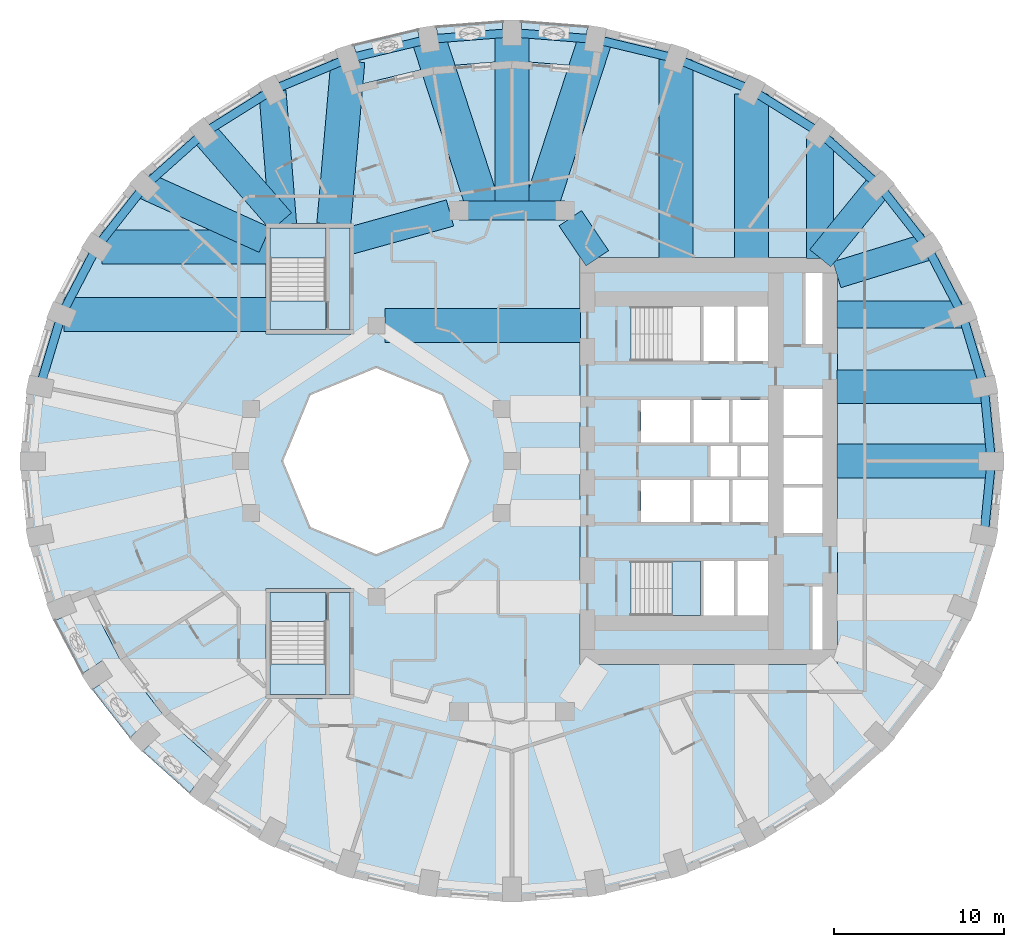
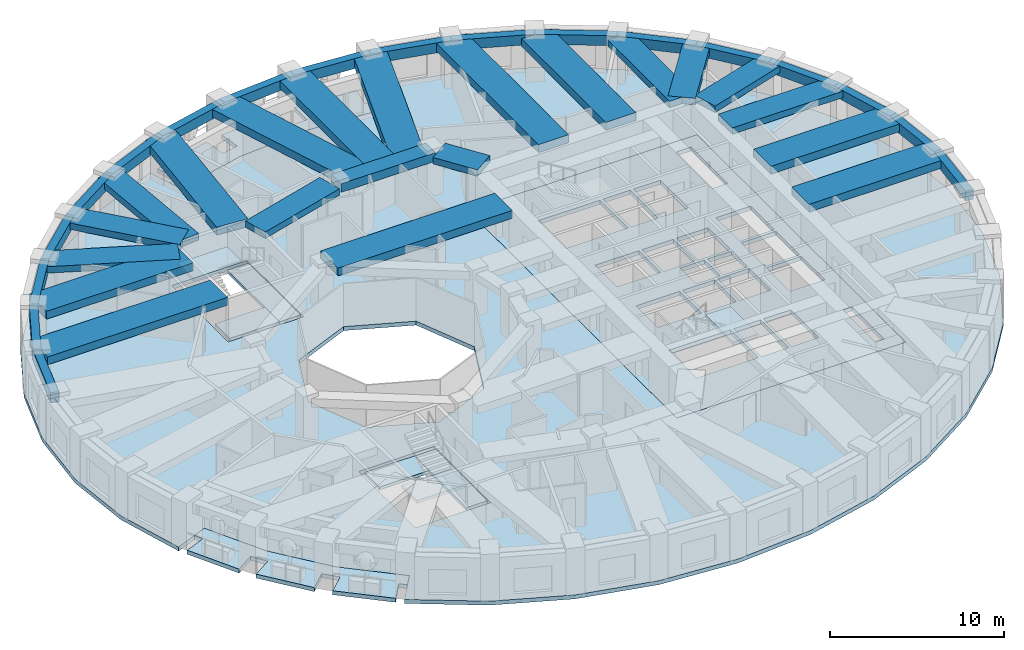
# One storey, part 2 of 13: 39 beams, 11 slabs, 3 elements without a shape of their own.
"""IFC4 building model written with IfcOpenShell, lengths in metres."""

from ifc_helpers import new_model, si_unit, direction, frame, origin, origin_2d, place, context, subcontext, project, spatial, polyline, rectangle, outline, extrude, material, layer, layer_set, material_profile, profile_set, type_object, element, aggregate, save


model = new_model("IFC4")

# Units and contexts
model_context = context("Model", 3, precision=1e-05, world=origin(), true_north=direction((0.0, 1.0)))
body_context = subcontext(model_context, "Body", "Model", "MODEL_VIEW")
ifc_project = project(units=[si_unit("LENGTHUNIT", "METRE"), si_unit("AREAUNIT", "SQUARE_METRE"), si_unit("VOLUMEUNIT", "CUBIC_METRE"), si_unit("PLANEANGLEUNIT", "RADIAN"), si_unit("MASSUNIT", "GRAM", prefix="KILO")], contexts=[model_context])

# Site, building, storey
site_placement = place(None, origin())
site = spatial("IfcSite", under=ifc_project, at=site_placement, CompositionType="ELEMENT")
building_placement = place(site_placement, origin())
building = spatial("IfcBuilding", under=site, at=building_placement, Name="Taillehof Tower", CompositionType="ELEMENT")
storey_placement = place(building_placement, frame((0.0, 0.0, 51.39990234375)))
storey = spatial("IfcBuildingStorey", under=building, at=storey_placement, Name="L13", CompositionType="ELEMENT", Elevation=51.39990234375)

# Beams
ifc_material_1 = material(Name="Concrete C50/60", Category="concrete")
ifc_material_profile_1 = material_profile(ifc_material_1, rectangle(XDim=1.10009765625, YDim=0.60009765625, at=origin_2d()), Name="RC 1100x600")
ifc_profile_set_1 = profile_set([ifc_material_profile_1], Name="Concrete C50/60")
beam_type_1 = type_object("IfcBeamType", Name="Mid-ring beam C50/60 1100x600", PredefinedType="BEAM", material=ifc_profile_set_1)
beam_1_placement = place(storey_placement, frame((3.125732421875, 14.772216796875, 2.72021484375), z_axis=(-1.0, 0.0, 0.0), x_axis=(0.0, -1.0, 0.0)))
element("IfcBeam", 1, at=beam_1_placement, inside=storey, type_object=beam_type_1, Name="Mid-ring beam MB01", PredefinedType="BEAM", context=body_context, shape_type="SweptSolid", body=[
    extrude(rectangle(XDim=1.10009765625, YDim=0.60009765625, at=origin_2d()), origin(), (0.0, 0.0, 1.0), 6.25146484375),
])
ifc_material_2 = material(Name="Concrete C50/60", Category="concrete")
ifc_material_profile_2 = material_profile(ifc_material_2, rectangle(XDim=1.60009765625, YDim=0.449951171875, at=origin_2d()), Name="RC 1600x450")
ifc_profile_set_2 = profile_set([ifc_material_profile_2], Name="Concrete C50/60")
beam_type_2 = type_object("IfcBeamType", Name="Radial band beam C50/60 1600x450", PredefinedType="BEAM", material=ifc_profile_set_2)
beam_2_placement = place(storey_placement, frame((26.490478515625, 8.635986328125, 2.795166015625), z_axis=(-1.0, 0.0, 0.0), x_axis=(0.0, -1.0, 0.0)))
element("IfcBeam", 2, at=beam_2_placement, inside=storey, type_object=beam_type_2, Name="Radial band beam RB03", PredefinedType="BEAM", context=body_context, shape_type="SweptSolid", body=[
    extrude(rectangle(XDim=1.60009765625, YDim=0.449951171875, at=origin_2d()), origin(), (0.0, 0.0, 1.0), 7.340576171875),
])
beam_3_placement = place(storey_placement, frame((24.46533203125, 12.625, 2.795166015625), z_axis=(-0.955535654338, -0.294875589511, 0.0), x_axis=(0.294875589511, -0.955535654338, 0.0)))
element("IfcBeam", 3, at=beam_3_placement, inside=storey, type_object=beam_type_2, Name="Radial band beam RB04", PredefinedType="BEAM", context=body_context, shape_type="SweptSolid", body=[
    extrude(rectangle(XDim=1.60009765625, YDim=0.449951171875, at=origin_2d()), origin(), (0.0, 0.0, 1.0), 5.560546875),
])
beam_4_placement = place(storey_placement, frame((21.640869140625, 16.23046875, 2.795166015625), z_axis=(-0.630988373846, -0.775792286679, 0.0), x_axis=(0.775792286679, -0.630988373846, 0.0)))
element("IfcBeam", 4, at=beam_4_placement, inside=storey, type_object=beam_type_2, Name="Radial band beam RB05", PredefinedType="BEAM", context=body_context, shape_type="SweptSolid", body=[
    extrude(rectangle(XDim=1.60009765625, YDim=0.449951171875, at=origin_2d()), origin(), (0.0, 0.0, 1.0), 5.503173828125),
])
beam_5_placement = place(storey_placement, frame((18.15869140625, 19.05517578125, 2.795166015625), z_axis=(0.0, -1.0, 0.0), x_axis=(1.0, 0.0, 0.0)))
element("IfcBeam", 5, at=beam_5_placement, inside=storey, type_object=beam_type_2, Name="Radial band beam RB06", PredefinedType="BEAM", context=body_context, shape_type="SweptSolid", body=[
    extrude(rectangle(XDim=1.60009765625, YDim=0.449951171875, at=origin_2d()), origin(), (0.0, 0.0, 1.0), 7.105224609375),
])
beam_6_placement = place(storey_placement, frame((-14.119873046875, 21.802978515625, 2.795166015625), z_axis=(0.079184740988, -0.996859958467, 0.0), x_axis=(0.996859958467, 0.079184740988, 0.0)))
element("IfcBeam", 6, at=beam_6_placement, inside=storey, type_object=beam_type_2, Name="Radial band beam RB13", PredefinedType="BEAM", context=body_context, shape_type="SweptSolid", body=[
    extrude(rectangle(XDim=1.60009765625, YDim=0.449951171875, at=origin_2d()), origin(), (0.0, 0.0, 1.0), 7.87744140625),
])
beam_7_placement = place(storey_placement, frame((-18.15869140625, 19.342529296875, 2.795166015625), z_axis=(0.65721824087, -0.753700327628, 0.0), x_axis=(0.753700327628, 0.65721824087, 0.0)))
element("IfcBeam", 7, at=beam_7_placement, inside=storey, type_object=beam_type_2, Name="Radial band beam RB14", PredefinedType="BEAM", context=body_context, shape_type="SweptSolid", body=[
    extrude(rectangle(XDim=1.60009765625, YDim=0.449951171875, at=origin_2d()), origin(), (0.0, 0.0, 1.0), 6.9384765625),
])
beam_8_placement = place(storey_placement, frame((-21.632568359375, 16.226806640625, 2.795166015625), z_axis=(0.911100590789, -0.412184077161, 0.0), x_axis=(0.412184077161, 0.911100590789, 0.0)))
element("IfcBeam", 8, at=beam_8_placement, inside=storey, type_object=beam_type_2, Name="Radial band beam RB15", PredefinedType="BEAM", context=body_context, shape_type="SweptSolid", body=[
    extrude(rectangle(XDim=1.60009765625, YDim=0.449951171875, at=origin_2d()), origin(), (0.0, 0.0, 1.0), 7.740966796875),
])
beam_9_placement = place(storey_placement, frame((3.433837890625, 14.31640625, 2.795166015625), z_axis=(0.560112043398, -0.828416862962, 0.0), x_axis=(0.828416862962, 0.560112043398, 0.0)))
element("IfcBeam", 9, at=beam_9_placement, inside=storey, type_object=beam_type_2, Name="Inner band beam IB205", PredefinedType="BEAM", context=body_context, shape_type="SweptSolid", body=[
    extrude(rectangle(XDim=1.60009765625, YDim=0.449951171875, at=origin_2d()), origin(), (0.0, 0.0, 1.0), 2.84619140625),
])
beam_10_placement = place(storey_placement, frame((-3.655517578125, 14.624755859375, 2.795166015625), z_axis=(-0.963459369536, -0.267854518821, 0.0), x_axis=(0.267854518821, -0.963459369536, 0.0)))
element("IfcBeam", 10, at=beam_10_placement, inside=storey, type_object=beam_type_2, Name="Inner band beam IB206", PredefinedType="BEAM", context=body_context, shape_type="SweptSolid", body=[
    extrude(rectangle(XDim=1.60009765625, YDim=0.449951171875, at=origin_2d()), origin(), (0.0, 0.0, 1.0), 6.096923828125),
])
ifc_material_3 = material(Name="Concrete C50/60", Category="concrete")
ifc_material_profile_3 = material_profile(ifc_material_3, rectangle(XDim=2.0, YDim=0.550048828125, at=origin_2d()), Name="RC 2000x550")
ifc_profile_set_3 = profile_set([ifc_material_profile_3], Name="Concrete C50/60")
beam_type_3 = type_object("IfcBeamType", Name="Radial band beam C50/60 2000x550", PredefinedType="BEAM", material=ifc_profile_set_3)
beam_11_placement = place(storey_placement, frame((28.25, 0.0, 2.7451171875), z_axis=(-1.0, 0.0, 0.0), x_axis=(0.0, -1.0, 0.0)))
element("IfcBeam", 11, at=beam_11_placement, inside=storey, type_object=beam_type_3, Name="Radial band beam RB01", PredefinedType="BEAM", context=body_context, shape_type="SweptSolid", body=[
    extrude(rectangle(XDim=2.0, YDim=0.550048828125, at=origin_2d()), origin(), (0.0, 0.0, 1.0), 9.10009765625),
])
beam_12_placement = place(storey_placement, frame((27.82080078125, 4.384521484375, 2.7451171875), z_axis=(-1.0, 0.0, 0.0), x_axis=(0.0, -1.0, 0.0)))
element("IfcBeam", 12, at=beam_12_placement, inside=storey, type_object=beam_type_3, Name="Radial band beam RB02", PredefinedType="BEAM", context=body_context, shape_type="SweptSolid", body=[
    extrude(rectangle(XDim=2.0, YDim=0.550048828125, at=origin_2d()), origin(), (0.0, 0.0, 1.0), 8.6708984375),
])
beam_13_placement = place(storey_placement, frame((14.125, 21.63232421875, 2.7451171875), z_axis=(0.0, -1.0, 0.0), x_axis=(1.0, 0.0, 0.0)))
element("IfcBeam", 13, at=beam_13_placement, inside=storey, type_object=beam_type_3, Name="Radial band beam RB07", PredefinedType="BEAM", context=body_context, shape_type="SweptSolid", body=[
    extrude(rectangle(XDim=2.0, YDim=0.550048828125, at=origin_2d()), origin(), (0.0, 0.0, 1.0), 9.682373046875),
])
beam_14_placement = place(storey_placement, frame((9.662109375, 23.664794921875, 2.7451171875), z_axis=(0.0, -1.0, 0.0), x_axis=(1.0, 0.0, 0.0)))
element("IfcBeam", 14, at=beam_14_placement, inside=storey, type_object=beam_type_3, Name="Radial band beam RB08", PredefinedType="BEAM", context=body_context, shape_type="SweptSolid", body=[
    extrude(rectangle(XDim=2.0, YDim=0.550048828125, at=origin_2d()), origin(), (0.0, 0.0, 1.0), 11.71484375),
])
beam_15_placement = place(storey_placement, frame((4.905517578125, 24.866455078125, 2.7451171875), z_axis=(-0.309014294595, -0.951057393503, 0.0), x_axis=(0.951057393503, -0.309014294595, 0.0)))
element("IfcBeam", 15, at=beam_15_placement, inside=storey, type_object=beam_type_3, Name="Radial band beam RB09", PredefinedType="BEAM", context=body_context, shape_type="SweptSolid", body=[
    extrude(rectangle(XDim=2.0, YDim=0.550048828125, at=origin_2d()), origin(), (0.0, 0.0, 1.0), 10.61376953125),
])
beam_16_placement = place(storey_placement, frame((0.0, 25.25, 2.7451171875), z_axis=(0.0, -1.0, 0.0), x_axis=(1.0, 0.0, 0.0)))
element("IfcBeam", 16, at=beam_16_placement, inside=storey, type_object=beam_type_3, Name="Radial band beam RB10", PredefinedType="BEAM", context=body_context, shape_type="SweptSolid", body=[
    extrude(rectangle(XDim=2.0, YDim=0.550048828125, at=origin_2d()), origin(), (0.0, 0.0, 1.0), 10.477783203125),
])
beam_17_placement = place(storey_placement, frame((-4.905517578125, 24.866455078125, 2.7451171875), z_axis=(0.309014294595, -0.951057393503, 0.0), x_axis=(0.951057393503, 0.309014294595, 0.0)))
element("IfcBeam", 17, at=beam_17_placement, inside=storey, type_object=beam_type_3, Name="Radial band beam RB11", PredefinedType="BEAM", context=body_context, shape_type="SweptSolid", body=[
    extrude(rectangle(XDim=2.0, YDim=0.550048828125, at=origin_2d()), origin(), (0.0, 0.0, 1.0), 10.61376953125),
])
beam_18_placement = place(storey_placement, frame((-9.675048828125, 23.575927734375, 2.7451171875), z_axis=(-0.085841202752, -0.996308831593, 0.0), x_axis=(0.996308831593, -0.085841202752, 0.0)))
element("IfcBeam", 18, at=beam_18_placement, inside=storey, type_object=beam_type_3, Name="Radial band beam RB12", PredefinedType="BEAM", context=body_context, shape_type="SweptSolid", body=[
    extrude(rectangle(XDim=2.0, YDim=0.550048828125, at=origin_2d()), origin(), (0.0, 0.0, 1.0), 9.661376953125),
])
beam_19_placement = place(storey_placement, frame((-24.172607421875, 12.625, 2.7451171875), z_axis=(1.0, 0.0, 0.0), x_axis=(0.0, 1.0, 0.0)))
element("IfcBeam", 19, at=beam_19_placement, inside=storey, type_object=beam_type_3, Name="Radial band beam RB16", PredefinedType="BEAM", context=body_context, shape_type="SweptSolid", body=[
    extrude(rectangle(XDim=2.0, YDim=0.550048828125, at=origin_2d()), origin(), (0.0, 0.0, 1.0), 9.72265625),
])
beam_20_placement = place(storey_placement, frame((-26.408935546875, 8.635986328125, 2.7451171875), z_axis=(1.0, 0.0, 0.0), x_axis=(0.0, 1.0, 0.0)))
element("IfcBeam", 20, at=beam_20_placement, inside=storey, type_object=beam_type_3, Name="Radial band beam RB17", PredefinedType="BEAM", context=body_context, shape_type="SweptSolid", body=[
    extrude(rectangle(XDim=2.0, YDim=0.550048828125, at=origin_2d()), origin(), (0.0, 0.0, 1.0), 11.958984375),
])
beam_21_placement = place(storey_placement, frame((-7.5, 8.0, 2.7451171875), z_axis=(1.0, 0.0, 0.0), x_axis=(0.0, 1.0, 0.0)))
element("IfcBeam", 21, at=beam_21_placement, inside=storey, type_object=beam_type_3, Name="Inner band beam IB105", PredefinedType="BEAM", context=body_context, shape_type="SweptSolid", body=[
    extrude(rectangle(XDim=2.0, YDim=0.550048828125, at=origin_2d()), origin(), (0.0, 0.0, 1.0), 11.550048828125),
])
ifc_material_4 = material(Name="Concrete C50/60", Category="concrete")
ifc_material_profile_4 = material_profile(ifc_material_4, rectangle(XDim=0.5, YDim=0.699951171875, at=origin_2d()), Name="RC 500x700")
ifc_profile_set_4 = profile_set([ifc_material_profile_4], Name="Concrete C50/60")
beam_type_4 = type_object("IfcBeamType", Name="Spandrel beam C50/60 500x700", PredefinedType="SPANDREL", material=ifc_profile_set_4)
beam_22_placement = place(storey_placement, frame((28.25, 0.0, 2.670166015625), z_axis=(-0.097423973567, 0.99524297002, 0.0), x_axis=(-0.99524297002, -0.097423973567, 0.0)))
element("IfcBeam", 22, at=beam_22_placement, inside=storey, type_object=beam_type_4, Name="Spandrel beam SB01", PredefinedType="SPANDREL", context=body_context, shape_type="SweptSolid", body=[
    extrude(rectangle(XDim=0.5, YDim=0.699951171875, at=origin_2d()), origin(), (0.0, 0.0, 1.0), 4.405517578125),
])
beam_23_placement = place(storey_placement, frame((27.82080078125, 4.384521484375, 2.670166015625), z_axis=(-0.287135925407, 0.957889847707, 0.0), x_axis=(-0.957889847707, -0.287135925407, 0.0)))
element("IfcBeam", 23, at=beam_23_placement, inside=storey, type_object=beam_type_4, Name="Spandrel beam SB02", PredefinedType="SPANDREL", context=body_context, shape_type="SweptSolid", body=[
    extrude(rectangle(XDim=0.5, YDim=0.699951171875, at=origin_2d()), origin(), (0.0, 0.0, 1.0), 4.4384765625),
])
beam_24_placement = place(storey_placement, frame((26.54638671875, 8.635986328125, 2.670166015625), z_axis=(-0.462536335232, 0.886600326297, 0.0), x_axis=(-0.886600326297, -0.462536335232, 0.0)))
element("IfcBeam", 24, at=beam_24_placement, inside=storey, type_object=beam_type_4, Name="Spandrel beam SB03", PredefinedType="SPANDREL", context=body_context, shape_type="SweptSolid", body=[
    extrude(rectangle(XDim=0.5, YDim=0.699951171875, at=origin_2d()), origin(), (0.0, 0.0, 1.0), 4.499267578125),
])
beam_25_placement = place(storey_placement, frame((24.46533203125, 12.625, 2.670166015625), z_axis=(-0.616686200373, 0.787209076593, 0.0), x_axis=(-0.787209076593, -0.616686200373, 0.0)))
element("IfcBeam", 25, at=beam_25_placement, inside=storey, type_object=beam_type_4, Name="Spandrel beam SB04", PredefinedType="SPANDREL", context=body_context, shape_type="SweptSolid", body=[
    extrude(rectangle(XDim=0.5, YDim=0.699951171875, at=origin_2d()), origin(), (0.0, 0.0, 1.0), 4.580078125),
])
beam_26_placement = place(storey_placement, frame((21.640869140625, 16.23046875, 2.670166015625), z_axis=(-0.745621283614, 0.666369943366, 0.0), x_axis=(-0.666369943366, -0.745621283614, 0.0)))
element("IfcBeam", 26, at=beam_26_placement, inside=storey, type_object=beam_type_4, Name="Spandrel beam SB05", PredefinedType="SPANDREL", context=body_context, shape_type="SweptSolid", body=[
    extrude(rectangle(XDim=0.5, YDim=0.699951171875, at=origin_2d()), origin(), (0.0, 0.0, 1.0), 4.670166015625),
])
beam_27_placement = place(storey_placement, frame((18.15869140625, 19.342529296875, 2.670166015625), z_axis=(-0.847658018883, 0.530543007703, 0.0), x_axis=(-0.530543007703, -0.847658018883, 0.0)))
element("IfcBeam", 27, at=beam_27_placement, inside=storey, type_object=beam_type_4, Name="Spandrel beam SB06", PredefinedType="SPANDREL", context=body_context, shape_type="SweptSolid", body=[
    extrude(rectangle(XDim=0.5, YDim=0.699951171875, at=origin_2d()), origin(), (0.0, 0.0, 1.0), 4.758544921875),
])
beam_28_placement = place(storey_placement, frame((14.125, 21.8671875, 2.670166015625), z_axis=(-0.923035088053, 0.384715773297, 0.0), x_axis=(-0.384715773297, -0.923035088053, 0.0)))
element("IfcBeam", 28, at=beam_28_placement, inside=storey, type_object=beam_type_4, Name="Spandrel beam SB07", PredefinedType="SPANDREL", context=body_context, shape_type="SweptSolid", body=[
    extrude(rectangle(XDim=0.5, YDim=0.699951171875, at=origin_2d()), origin(), (0.0, 0.0, 1.0), 4.8349609375),
])
beam_29_placement = place(storey_placement, frame((9.662109375, 23.727294921875, 2.670166015625), z_axis=(-0.9724995553, 0.232904733616, 0.0), x_axis=(-0.232904733616, -0.9724995553, 0.0)))
element("IfcBeam", 29, at=beam_29_placement, inside=storey, type_object=beam_type_4, Name="Spandrel beam SB08", PredefinedType="SPANDREL", context=body_context, shape_type="SweptSolid", body=[
    extrude(rectangle(XDim=0.5, YDim=0.699951171875, at=origin_2d()), origin(), (0.0, 0.0, 1.0), 4.89111328125),
])
for number, where, z_axis, x_axis, name in (
    (30, (4.905517578125, 24.866455078125, 2.670166015625), (-0.996957383661, 0.077948541767, 0.0), (-0.077948541767, -0.996957383661, 0.0), "Spandrel beam SB09"),
    (31, (0.0, 25.25, 2.670166015625), (-0.996957383661, -0.077948541767, 0.0), (0.077948541767, -0.996957383661, 0.0), "Spandrel beam SB10"),
):
    element("IfcBeam", number, at=place(storey_placement, frame(where, z_axis=z_axis, x_axis=x_axis)), inside=storey, type_object=beam_type_4, Name=name, PredefinedType="SPANDREL", context=body_context, shape_type="SweptSolid", body=[
        extrude(rectangle(XDim=0.5, YDim=0.699951171875, at=origin_2d()), origin(), (0.0, 0.0, 1.0), 4.92041015625),
    ])
beam_30_placement = place(storey_placement, frame((-4.905517578125, 24.866455078125, 2.670166015625), z_axis=(-0.9724995553, -0.232904733616, 0.0), x_axis=(0.232904733616, -0.9724995553, 0.0)))
element("IfcBeam", 32, at=beam_30_placement, inside=storey, type_object=beam_type_4, Name="Spandrel beam SB11", PredefinedType="SPANDREL", context=body_context, shape_type="SweptSolid", body=[
    extrude(rectangle(XDim=0.5, YDim=0.699951171875, at=origin_2d()), origin(), (0.0, 0.0, 1.0), 4.89111328125),
])
beam_31_placement = place(storey_placement, frame((-9.662109375, 23.727294921875, 2.670166015625), z_axis=(-0.923035088053, -0.384715773297, 0.0), x_axis=(0.384715773297, -0.923035088053, 0.0)))
element("IfcBeam", 33, at=beam_31_placement, inside=storey, type_object=beam_type_4, Name="Spandrel beam SB12", PredefinedType="SPANDREL", context=body_context, shape_type="SweptSolid", body=[
    extrude(rectangle(XDim=0.5, YDim=0.699951171875, at=origin_2d()), origin(), (0.0, 0.0, 1.0), 4.8349609375),
])
beam_32_placement = place(storey_placement, frame((-14.125, 21.8671875, 2.670166015625), z_axis=(-0.847658018883, -0.530543007703, 0.0), x_axis=(0.530543007703, -0.847658018883, 0.0)))
element("IfcBeam", 34, at=beam_32_placement, inside=storey, type_object=beam_type_4, Name="Spandrel beam SB13", PredefinedType="SPANDREL", context=body_context, shape_type="SweptSolid", body=[
    extrude(rectangle(XDim=0.5, YDim=0.699951171875, at=origin_2d()), origin(), (0.0, 0.0, 1.0), 4.758544921875),
])
beam_33_placement = place(storey_placement, frame((-18.15869140625, 19.342529296875, 2.670166015625), z_axis=(-0.745621283614, -0.666369943366, 0.0), x_axis=(0.666369943366, -0.745621283614, 0.0)))
element("IfcBeam", 35, at=beam_33_placement, inside=storey, type_object=beam_type_4, Name="Spandrel beam SB14", PredefinedType="SPANDREL", context=body_context, shape_type="SweptSolid", body=[
    extrude(rectangle(XDim=0.5, YDim=0.699951171875, at=origin_2d()), origin(), (0.0, 0.0, 1.0), 4.670166015625),
])
beam_34_placement = place(storey_placement, frame((-21.640869140625, 16.23046875, 2.670166015625), z_axis=(-0.616686200373, -0.787209076593, 0.0), x_axis=(0.787209076593, -0.616686200373, 0.0)))
element("IfcBeam", 36, at=beam_34_placement, inside=storey, type_object=beam_type_4, Name="Spandrel beam SB15", PredefinedType="SPANDREL", context=body_context, shape_type="SweptSolid", body=[
    extrude(rectangle(XDim=0.5, YDim=0.699951171875, at=origin_2d()), origin(), (0.0, 0.0, 1.0), 4.580078125),
])
beam_35_placement = place(storey_placement, frame((-24.46533203125, 12.625, 2.670166015625), z_axis=(-0.462536335232, -0.886600326297, 0.0), x_axis=(0.886600326297, -0.462536335232, 0.0)))
element("IfcBeam", 37, at=beam_35_placement, inside=storey, type_object=beam_type_4, Name="Spandrel beam SB16", PredefinedType="SPANDREL", context=body_context, shape_type="SweptSolid", body=[
    extrude(rectangle(XDim=0.5, YDim=0.699951171875, at=origin_2d()), origin(), (0.0, 0.0, 1.0), 4.499267578125),
])
beam_36_placement = place(storey_placement, frame((-26.54638671875, 8.635986328125, 2.670166015625), z_axis=(-0.287135925407, -0.957889847707, 0.0), x_axis=(0.957889847707, -0.287135925407, 0.0)))
element("IfcBeam", 38, at=beam_36_placement, inside=storey, type_object=beam_type_4, Name="Spandrel beam SB17", PredefinedType="SPANDREL", context=body_context, shape_type="SweptSolid", body=[
    extrude(rectangle(XDim=0.5, YDim=0.699951171875, at=origin_2d()), origin(), (0.0, 0.0, 1.0), 4.4384765625),
])
beam_37_placement = place(storey_placement, frame((27.82080078125, -4.384521484375, 2.670166015625), z_axis=(0.097423973567, 0.99524297002, 0.0), x_axis=(-0.99524297002, 0.097423973567, 0.0)))
element("IfcBeam", 39, at=beam_37_placement, inside=storey, type_object=beam_type_4, Name="Spandrel beam SB36", PredefinedType="SPANDREL", context=body_context, shape_type="SweptSolid", body=[
    extrude(rectangle(XDim=0.5, YDim=0.699951171875, at=origin_2d()), origin(), (0.0, 0.0, 1.0), 4.405517578125),
])

# Slabs
ifc_material_5 = material(Name="Concrete C40/50", Category="concrete")
ifc_layer_1 = layer(ifc_material_5, 0.280029296875)
ifc_layer_set_1 = layer_set([ifc_layer_1], Name="Balcony slab 280")
slab_type_1 = type_object("IfcSlabType", Name="Balcony slab 280", PredefinedType="USERDEFINED", material=ifc_layer_set_1)
slab_1_placement = place(storey_placement, frame((0.0, 0.0, -0.27978515625)))
element("IfcSlab", 40, at=slab_1_placement, inside=storey, type_object=slab_type_1, Name="Balcony L13 pocket 2", ObjectType="BALCONY", PredefinedType="USERDEFINED", context=body_context, shape_type="SweptSolid", body=[
    extrude(outline(polyline([(-9.174072265625, 22.150390625), (-9.453369140625, 23.00634765625), (-8.906494140625, 23.184814453125), (-9.357421875, 24.56689453125), (-5.559326171875, 25.479248046875), (-5.331787109375, 24.039794921875), (-4.2451171875, 24.21142578125), (-4.472412109375, 25.649169921875), (-0.550048828125, 25.956787109375), (-0.550048828125, 24.5), (0.550048828125, 24.5), (0.550048828125, 25.956787109375), (4.472412109375, 25.649169921875), (4.2451171875, 24.21142578125), (4.801513671875, 24.12353515625), (4.6611328125, 23.234375), (0.0, 23.60009765625), (-4.6611328125, 23.234375), (-9.174072265625, 22.150390625)])), origin(), (0.0, 0.0, 1.0), 0.27978515625),
])
slab_2_placement = place(storey_placement, frame((0.0, 0.0, -0.27978515625)))
element("IfcSlab", 41, at=slab_2_placement, inside=storey, type_object=slab_type_1, Name="Balcony L13 pocket 6", ObjectType="BALCONY", PredefinedType="USERDEFINED", context=body_context, shape_type="SweptSolid", body=[
    extrude(outline(polyline([(-17.197998046875, -17.999267578125), (-17.73974609375, -18.71923828125), (-18.1474609375, -18.41259765625), (-19.02197265625, -19.575439453125), (-21.77392578125, -17.108154296875), (-20.71728515625, -16.119384765625), (-21.468994140625, -15.31640625), (-22.530029296875, -16.309326171875), (-24.752197265625, -13.464111328125), (-23.536865234375, -12.681396484375), (-24.13232421875, -11.756591796875), (-25.352783203125, -12.54248046875), (-26.9833984375, -9.406982421875), (-25.64453125, -8.863525390625), (-25.86181640625, -8.328369140625), (-25.02734375, -7.98974609375), (-23.096923828125, -11.70068359375), (-20.463134765625, -15.072509765625), (-17.197998046875, -17.999267578125)])), origin(), (0.0, 0.0, 1.0), 0.27978515625),
])
ifc_material_6 = material(Name="Concrete C40/50", Category="concrete")
ifc_layer_2 = layer(ifc_material_6, 0.280029296875)
ifc_layer_set_2 = layer_set([ifc_layer_2], Name="Core floor slab C40/50 280")
slab_type_2 = type_object("IfcSlabType", Name="Core floor slab C40/50 280", PredefinedType="FLOOR", material=ifc_layer_set_2)
slab_3_placement = place(storey_placement, frame((0.0, 0.0, -0.27978515625)))
element("IfcSlab", 42, at=slab_3_placement, inside=storey, type_object=slab_type_2, Name="Core floor L13", PredefinedType="FLOOR", context=body_context, shape_type="SweptSolid", body=[
    extrude(outline(polyline([(4.0, -12.0), (4.0, 12.0), (19.199951171875, 12.0), (19.199951171875, -12.0), (4.0, -12.0)]), holes=[polyline([(7.00048828125, -9.10009765625), (11.10009765625, -9.10009765625), (11.10009765625, -5.89990234375), (7.00048828125, -5.89990234375), (7.00048828125, -9.10009765625)]), polyline([(13.10009765625, -9.10009765625), (13.10009765625, -5.89990234375), (11.300048828125, -5.89990234375), (11.300048828125, -9.10009765625), (13.10009765625, -9.10009765625)]), polyline([(10.5, -3.60009765625), (10.5, -1.10009765625), (7.60009765625, -1.10009765625), (7.60009765625, -3.60009765625), (10.5, -3.60009765625)]), polyline([(12.800048828125, -3.60009765625), (12.800048828125, -1.10009765625), (10.699951171875, -1.10009765625), (10.699951171875, -3.60009765625), (12.800048828125, -3.60009765625)]), polyline([(13.300048828125, -0.89990234375), (13.300048828125, 0.89990234375), (11.699951171875, 0.89990234375), (11.699951171875, -0.89990234375), (13.300048828125, -0.89990234375)]), polyline([(10.5, 1.10009765625), (10.5, 3.60009765625), (7.60009765625, 3.60009765625), (7.60009765625, 1.10009765625), (10.5, 1.10009765625)]), polyline([(12.800048828125, 1.10009765625), (12.800048828125, 3.60009765625), (10.699951171875, 3.60009765625), (10.699951171875, 1.10009765625), (12.800048828125, 1.10009765625)]), polyline([(13.0, 1.10009765625), (15.10009765625, 1.10009765625), (15.10009765625, 3.60009765625), (13.0, 3.60009765625), (13.0, 1.10009765625)]), polyline([(11.300048828125, 5.89990234375), (13.10009765625, 5.89990234375), (13.10009765625, 9.10009765625), (11.300048828125, 9.10009765625), (11.300048828125, 5.89990234375)]), polyline([(11.10009765625, 5.89990234375), (11.10009765625, 9.10009765625), (7.00048828125, 9.10009765625), (7.00048828125, 5.89990234375), (11.10009765625, 5.89990234375)]), polyline([(18.300048828125, -11.10009765625), (18.300048828125, -7.39990234375), (17.699951171875, -7.39990234375), (17.699951171875, -11.10009765625), (18.300048828125, -11.10009765625)]), polyline([(15.10009765625, -9.10009765625), (15.10009765625, -5.89990234375), (13.300048828125, -5.89990234375), (13.300048828125, -9.10009765625), (15.10009765625, -9.10009765625)]), polyline([(16.0, -4.25), (18.300048828125, -4.25), (18.300048828125, -1.550048828125), (16.0, -1.550048828125), (16.0, -4.25)]), polyline([(13.0, -3.60009765625), (15.10009765625, -3.60009765625), (15.10009765625, -1.10009765625), (13.0, -1.10009765625), (13.0, -3.60009765625)]), polyline([(15.10009765625, -0.89990234375), (15.10009765625, 0.89990234375), (13.5, 0.89990234375), (13.5, -0.89990234375), (15.10009765625, -0.89990234375)]), polyline([(18.300048828125, -1.35009765625), (18.300048828125, 1.35009765625), (16.0, 1.35009765625), (16.0, -1.35009765625), (18.300048828125, -1.35009765625)]), polyline([(18.300048828125, 1.550048828125), (18.300048828125, 4.25), (16.0, 4.25), (16.0, 1.550048828125), (18.300048828125, 1.550048828125)]), polyline([(13.300048828125, 5.89990234375), (15.10009765625, 5.89990234375), (15.10009765625, 9.10009765625), (13.300048828125, 9.10009765625), (13.300048828125, 5.89990234375)]), polyline([(17.300048828125, 6.89990234375), (18.300048828125, 6.89990234375), (18.300048828125, 11.10009765625), (17.300048828125, 11.10009765625), (17.300048828125, 6.89990234375)])]), origin(), (0.0, 0.0, 1.0), 0.27978515625),
])
ifc_material_7 = material(Name="Concrete C40/50", Category="concrete")
ifc_layer_3 = layer(ifc_material_7, 0.280029296875)
ifc_layer_set_3 = layer_set([ifc_layer_3], Name="Floor slab 280")
slab_type_3 = type_object("IfcSlabType", Name="Floor slab 280", PredefinedType="FLOOR", material=ifc_layer_set_3)
slab_4_placement = place(storey_placement, frame((0.0, 0.0, -0.27978515625)))
element("IfcSlab", 43, at=slab_4_placement, inside=storey, type_object=slab_type_3, Name="Floor slab L13", PredefinedType="FLOOR", context=body_context, shape_type="SweptSolid", body=[
    extrude(outline(polyline([(29.0, 0.0), (28.559326171875, 4.514892578125), (27.251220703125, 8.892578125), (25.11474609375, 13.0), (22.21533203125, 16.71240234375), (18.640869140625, 19.917236328125), (14.5, 22.5166015625), (9.918701171875, 24.431884765625), (5.035888671875, 25.60498046875), (4.660888671875, 23.234375), (0.0, 23.60009765625), (-4.660888671875, 23.234375), (-9.174072265625, 22.150390625), (-9.918701171875, 24.431884765625), (-14.5, 22.5166015625), (-18.640869140625, 19.917236328125), (-22.21533203125, 16.71240234375), (-25.11474609375, 13.0), (-27.251220703125, 8.892578125), (-28.559326171875, 4.514892578125), (-29.0, 0.0), (-28.559326171875, -4.514892578125), (-27.251220703125, -8.892578125), (-25.02734375, -7.98974609375), (-23.096923828125, -11.70068359375), (-20.462890625, -15.072509765625), (-17.197998046875, -17.999267578125), (-18.640869140625, -19.917236328125), (-14.5, -22.5166015625), (-9.918701171875, -24.431884765625), (-5.035888671875, -25.60498046875), (0.0, -26.0), (5.035888671875, -25.60498046875), (9.918701171875, -24.431884765625), (14.5, -22.5166015625), (18.640869140625, -19.917236328125), (22.21533203125, -16.71240234375), (25.11474609375, -13.0), (27.251220703125, -8.892578125), (28.559326171875, -4.514892578125), (29.0, 0.0)]), holes=[polyline([(-14.5, -7.5), (-9.5, -7.5), (-9.5, -14.0), (-14.5, -14.0), (-14.5, -7.5)]), polyline([(-8.0, -5.5), (-11.88916015625, -3.88916015625), (-13.5, 0.0), (-11.88916015625, 3.88916015625), (-8.0, 5.5), (-4.11083984375, 3.88916015625), (-2.5, 0.0), (-4.11083984375, -3.88916015625), (-8.0, -5.5)]), polyline([(19.199951171875, 12.0), (19.199951171875, -12.0), (4.0, -12.0), (4.0, 12.0), (19.199951171875, 12.0)]), polyline([(-14.5, 14.0), (-9.5, 14.0), (-9.5, 7.5), (-14.5, 7.5), (-14.5, 14.0)])]), origin(), (0.0, 0.0, 1.0), 0.27978515625),
])

# Stair, slab
ifc_material_8 = material(Name="Concrete C40/50", Category="concrete")
stair_type = type_object("IfcStairType", Name="Exit stair half-turn", PredefinedType="HALF_TURN_STAIR", material=ifc_material_8)
stair_1_placement = place(storey_placement, origin())
stair_1 = element("IfcStair", 44, at=stair_1_placement, inside=storey, type_object=stair_type, Name="Exit stair S2", PredefinedType="HALF_TURN_STAIR")
ifc_material_9 = material(Name="Concrete C40/50", Category="concrete")
ifc_layer_4 = layer(ifc_material_9, 0.2099609375)
ifc_layer_set_4 = layer_set([ifc_layer_4], Name="Stair landing C40/50 210")
slab_type_4 = type_object("IfcSlabType", Name="Stair landing C40/50 210", PredefinedType="LANDING", material=ifc_layer_set_4)
slab_5_placement = place(storey_placement, frame((0.0, 0.0, 1.440185546875)))
slab_5 = element("IfcSlab", 45, at=slab_5_placement, type_object=slab_type_4, Name="S2 landing 1", PredefinedType="LANDING", context=body_context, shape_type="SweptSolid", body=[
    extrude(outline(polyline([(9.429931640625, -5.89990234375), (11.10009765625, -5.89990234375), (11.10009765625, -9.10009765625), (9.429931640625, -9.10009765625), (9.429931640625, -5.89990234375)])), origin(), (0.0, 0.0, 1.0), 0.2099609375),
])
aggregate(stair_1, [slab_5])

stair_2_placement = place(storey_placement, origin())
stair_2 = element("IfcStair", 46, at=stair_2_placement, inside=storey, type_object=stair_type, Name="Exit stair S3", PredefinedType="HALF_TURN_STAIR")
slab_6_placement = place(storey_placement, frame((0.0, 0.0, 1.440185546875)))
slab_6 = element("IfcSlab", 47, at=slab_6_placement, type_object=slab_type_4, Name="S3 landing 1", PredefinedType="LANDING", context=body_context, shape_type="SweptSolid", body=[
    extrude(outline(polyline([(-14.25, 11.969970703125), (-14.25, 13.75), (-10.949951171875, 13.75), (-10.949951171875, 11.969970703125), (-14.25, 11.969970703125)])), origin(), (0.0, 0.0, 1.0), 0.2099609375),
])
aggregate(stair_2, [slab_6])

stair_3_placement = place(storey_placement, origin())
stair_3 = element("IfcStair", 48, at=stair_3_placement, inside=storey, type_object=stair_type, Name="Exit stair S4", PredefinedType="HALF_TURN_STAIR")
slab_7_placement = place(storey_placement, frame((0.0, 0.0, 1.440185546875)))
slab_7 = element("IfcSlab", 49, at=slab_7_placement, type_object=slab_type_4, Name="S4 landing 1", PredefinedType="LANDING", context=body_context, shape_type="SweptSolid", body=[
    extrude(outline(polyline([(-14.25, -11.969970703125), (-14.25, -13.75), (-10.949951171875, -13.75), (-10.949951171875, -11.969970703125), (-14.25, -11.969970703125)])), origin(), (0.0, 0.0, 1.0), 0.2099609375),
])
aggregate(stair_3, [slab_7])

# Slabs
slab_8_placement = place(storey_placement, frame((0.0, 0.0, -0.2099609375)))
element("IfcSlab", 50, at=slab_8_placement, inside=storey, type_object=slab_type_4, Name="Stair S3 floor landing", PredefinedType="LANDING", context=body_context, shape_type="SweptSolid", body=[
    extrude(outline(polyline([(-14.25, 7.75), (-14.25, 9.449951171875), (-10.949951171875, 9.449951171875), (-10.949951171875, 7.75), (-14.25, 7.75)])), origin(), (0.0, 0.0, 1.0), 0.2099609375),
])
slab_9_placement = place(storey_placement, frame((0.0, 0.0, -0.2099609375)))
element("IfcSlab", 51, at=slab_9_placement, inside=storey, type_object=slab_type_4, Name="Stair lobby S3 floor", PredefinedType="LANDING", context=body_context, shape_type="SweptSolid", body=[
    extrude(outline(polyline([(-10.949951171875, 7.75), (-9.550048828125, 7.75), (-9.550048828125, 13.75), (-10.949951171875, 13.75), (-10.949951171875, 7.75)])), origin(), (0.0, 0.0, 1.0), 0.2099609375),
])
slab_10_placement = place(storey_placement, frame((0.0, 0.0, -0.2099609375)))
element("IfcSlab", 52, at=slab_10_placement, inside=storey, type_object=slab_type_4, Name="Stair S4 floor landing", PredefinedType="LANDING", context=body_context, shape_type="SweptSolid", body=[
    extrude(outline(polyline([(-14.25, -7.75), (-14.25, -9.449951171875), (-10.949951171875, -9.449951171875), (-10.949951171875, -7.75), (-14.25, -7.75)])), origin(), (0.0, 0.0, 1.0), 0.2099609375),
])
slab_11_placement = place(storey_placement, frame((0.0, 0.0, -0.2099609375)))
element("IfcSlab", 53, at=slab_11_placement, inside=storey, type_object=slab_type_4, Name="Stair lobby S4 floor", PredefinedType="LANDING", context=body_context, shape_type="SweptSolid", body=[
    extrude(outline(polyline([(-10.949951171875, -13.75), (-9.550048828125, -13.75), (-9.550048828125, -7.75), (-10.949951171875, -7.75), (-10.949951171875, -13.75)])), origin(), (0.0, 0.0, 1.0), 0.2099609375),
])

save(model, "model.ifc")
